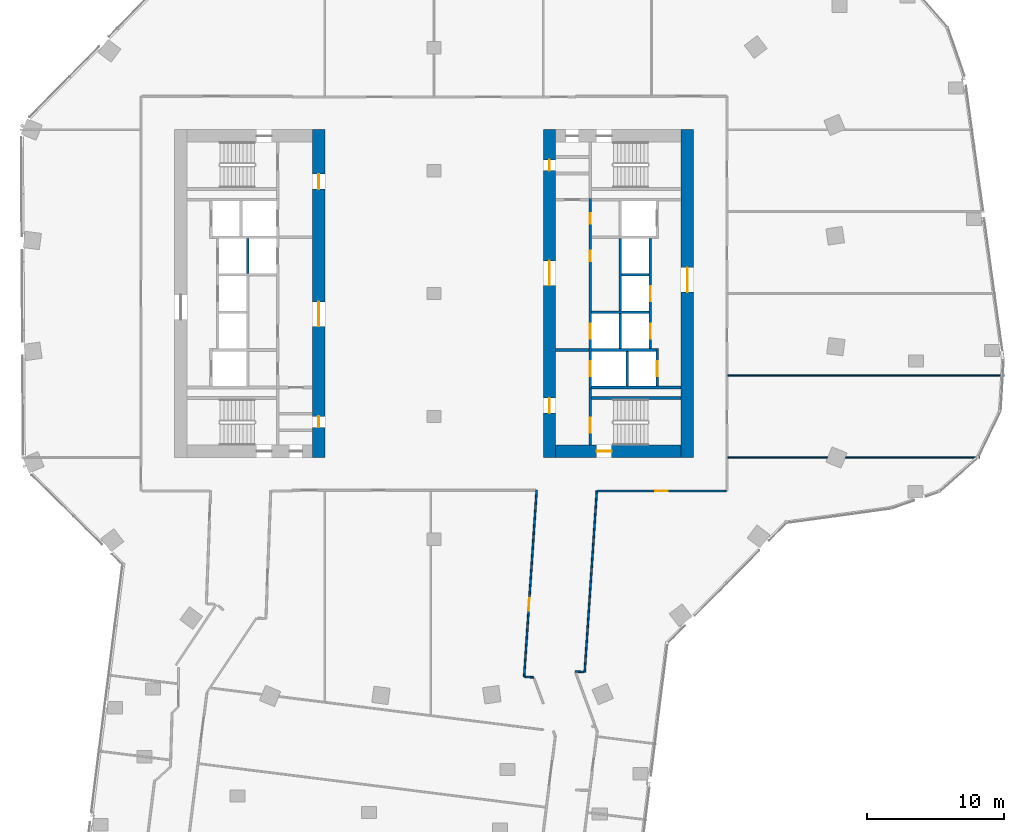
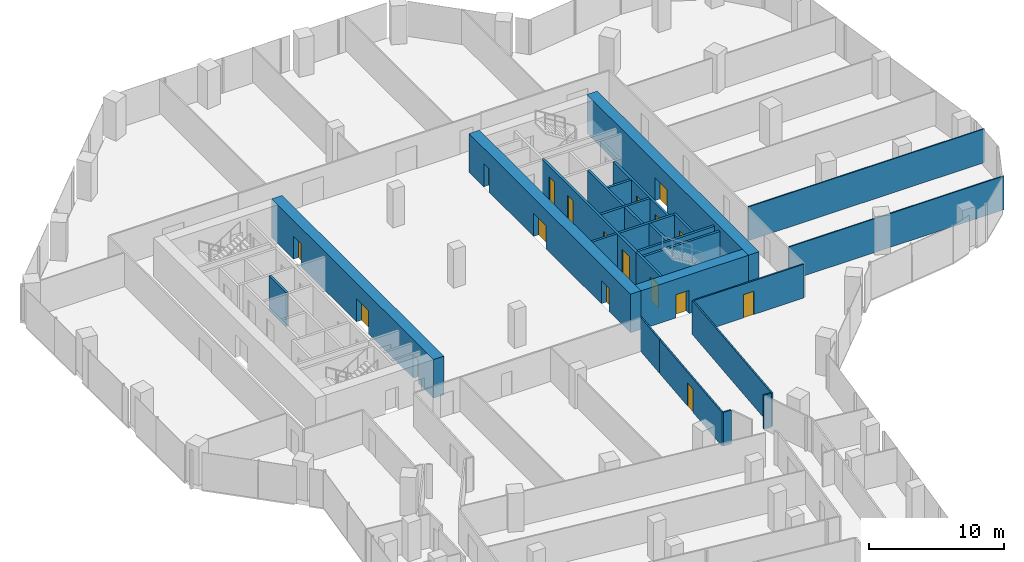
# One storey, part 21 of 27: 26 walls, 18 doors, 18 openings.
"""IFC4 building model written with IfcOpenShell, lengths in metres."""

import ifcopenshell
import ifcopenshell.guid

model = None  # the IFC model being written
_history = None  # IfcOwnerHistory: only IFC2X3 demands one
_inside = {}  # id of a spatial element -> (the spatial element, [elements in it])
_under = {}  # id of a project, library or spatial element -> (it, [spatial elements below it])
_declared = {}  # id of a project -> (the project, [libraries it declares])
_typed = {}  # id of a type object -> (the type object, [elements of that type])
_made_of = {}  # id of a material, layer set ... -> (it, [elements and type objects made of it])


def new_model(schema):
    """Start an empty IFC model of exactly this schema.

    Asked for "IFC4X3", IfcOpenShell would pick the latest addendum, in which some entities
    have other attributes; the version numbers below select the first issue.
    IFC2X3 requires an IfcOwnerHistory on every rooted entity: one is made here for all.
    """
    global model, _history
    if schema == "IFC4X3":
        model = ifcopenshell.file(schema_version=(4, 3, 0, 0))
    else:
        model = ifcopenshell.file(schema=schema)
    _inside.clear()
    _under.clear()
    _declared.clear()
    _typed.clear()
    _made_of.clear()
    _history = None
    if model.schema == "IFC2X3":
        org = make("IfcOrganization", Name="unknown")
        user = make(
            "IfcPersonAndOrganization",
            ThePerson=make("IfcPerson", FamilyName="unknown"),
            TheOrganization=org,
        )
        app = make(
            "IfcApplication",
            ApplicationDeveloper=org,
            Version="unknown",
            ApplicationFullName="unknown",
            ApplicationIdentifier="unknown",
        )
        _history = make(
            "IfcOwnerHistory",
            OwningUser=user,
            OwningApplication=app,
            ChangeAction="ADDED",
            CreationDate=0,
        )
    return model


def make(cls, **values):
    """One entity of the class cls with the attributes given. An attribute that is None is left unset."""
    return model.create_entity(
        cls, **{name: value for name, value in values.items() if value is not None}
    )


def rooted(cls, **values):
    """An entity with a GlobalId (a new one), such as an element, a storey or a relation."""
    return make(cls, GlobalId=ifcopenshell.guid.new(), OwnerHistory=_history, **values)


def si_unit(unit_type, name, prefix=None):
    """IfcSIUnit, for example si_unit("LENGTHUNIT", "METRE", prefix="MILLI")."""
    return make("IfcSIUnit", UnitType=unit_type, Prefix=prefix, Name=name)


def assignment(units):
    """IfcUnitAssignment: the units of a project."""
    return None if units is None else make("IfcUnitAssignment", Units=units)


def point(xyz):
    """IfcCartesianPoint."""
    return None if xyz is None else make("IfcCartesianPoint", Coordinates=xyz)


def direction(xyz):
    """IfcDirection."""
    return None if xyz is None else make("IfcDirection", DirectionRatios=xyz)


def frame(location, z_axis=None, x_axis=None):
    """IfcAxis2Placement3D, a coordinate frame: its origin and axes. An axis left out is left unset."""
    return make(
        "IfcAxis2Placement3D",
        Location=point(location),
        Axis=direction(z_axis),
        RefDirection=direction(x_axis),
    )


def frame_2d(location, x_axis=None):
    """IfcAxis2Placement2D, a coordinate frame in the plane: its origin and x axis."""
    return make(
        "IfcAxis2Placement2D", Location=point(location), RefDirection=direction(x_axis)
    )


def origin():
    """The frame at (0, 0, 0) with its axes left unset."""
    return frame((0.0, 0.0, 0.0))


def place(relative_to, where):
    """IfcLocalPlacement: puts the frame where relative to a parent placement (None: the world)."""
    return make(
        "IfcLocalPlacement", PlacementRelTo=relative_to, RelativePlacement=where
    )


def context(
    kind, dimensions, precision=None, world=None, true_north=None, identifier=None
):
    """IfcGeometricRepresentationContext, for example the 3D "Model" context."""
    return make(
        "IfcGeometricRepresentationContext",
        ContextIdentifier=identifier,
        ContextType=kind,
        CoordinateSpaceDimension=dimensions,
        Precision=precision,
        WorldCoordinateSystem=world,
        TrueNorth=true_north,
    )


def subcontext(parent, identifier, kind, view, scale=None):
    """IfcGeometricRepresentationSubContext, for example "Body" below "Model"."""
    return make(
        "IfcGeometricRepresentationSubContext",
        ContextIdentifier=identifier,
        ContextType=kind,
        ParentContext=parent,
        TargetScale=scale,
        TargetView=view,
    )


def project(units=None, contexts=None):
    """IfcProject with its units and contexts."""
    return rooted(
        "IfcProject",
        Name="project",
        RepresentationContexts=contexts,
        UnitsInContext=assignment(units),
    )


def spatial(cls, under=None, at=None, **own):
    """A site, building, storey or space (cls), placed at a placement, below another one or the project."""
    s = rooted(cls, ObjectPlacement=at, **own)
    if under is not None:
        _under.setdefault(under.id(), (under, []))[1].append(s)
    return s


def profile(cls, at=None, kind="AREA", **sizes):
    """A parametric profile (cls). Its sizes go by their IFC names, for example OverallWidth=200.0."""
    return make(cls, ProfileType=kind, Position=at, **sizes)


def rectangle(**sizes):
    """IfcRectangleProfileDef."""
    return profile("IfcRectangleProfileDef", **sizes)


def extrude(swept, where, along, depth):
    """IfcExtrudedAreaSolid: the profile swept, set in the frame where, extruded along a direction by depth."""
    return make(
        "IfcExtrudedAreaSolid",
        SweptArea=swept,
        Position=where,
        ExtrudedDirection=direction(along),
        Depth=depth,
    )


def shape(context_of_items, identifier, shape_type, items):
    """IfcShapeRepresentation: the items that make up one representation, for example the "Body"."""
    return make(
        "IfcShapeRepresentation",
        ContextOfItems=context_of_items,
        RepresentationIdentifier=identifier,
        RepresentationType=shape_type,
        Items=items,
    )


def material(Name=None, Category=None):
    """IfcMaterial."""
    return make("IfcMaterial", Name=Name, Category=Category)


def layer(
    of_material, thickness, ventilated=None, Name=None, Category=None, Priority=None
):
    """IfcMaterialLayer: one layer of a wall or slab, of a material (None: an air gap)."""
    return make(
        "IfcMaterialLayer",
        Material=of_material,
        LayerThickness=thickness,
        IsVentilated=ventilated,
        Name=Name,
        Category=Category,
        Priority=Priority,
    )


def layer_set(layers, Name=None):
    """IfcMaterialLayerSet."""
    return make("IfcMaterialLayerSet", MaterialLayers=layers, LayerSetName=Name)


def made_of(thing, what):
    """Note that an element or type object is made of a material, layer set ...; save() writes the relation."""
    if what is not None:
        _made_of.setdefault(what.id(), (what, []))[1].append(thing)
    return thing


def type_object(cls, material=None, **own):
    """A type object (cls), such as IfcWallType, which elements share."""
    return made_of(rooted(cls, **own), material)


def element(
    cls,
    number,
    at=None,
    inside=None,
    cuts=None,
    type_object=None,
    material=None,
    context=None,
    identifier="Body",
    shape_type=None,
    held_by="IfcProductDefinitionShape",
    body=None,
    shapes=None,
    **own,
):
    """One element of the class cls, such as IfcWall. Its Tag is "e" and its number.

    at: its placement. inside: the storey or other place that contains it. cuts: it is an
    opening in that element (IfcRelVoidsElement). A single representation is given by context,
    identifier, shape_type and body (its items); several are given by shapes. held_by: the class
    of the entity that holds the representations. save() writes the other relations.
    """
    e = rooted(cls, Tag="e%d" % number, ObjectPlacement=at, **own)
    if body is not None:
        shapes = [shape(context, identifier, shape_type, body)]
    if shapes is not None:
        e.Representation = make(held_by, Representations=shapes)
    if inside is not None:
        _inside.setdefault(inside.id(), (inside, []))[1].append(e)
    if cuts is not None:
        rooted(
            "IfcRelVoidsElement", RelatingBuildingElement=cuts, RelatedOpeningElement=e
        )
    if type_object is not None:
        _typed.setdefault(type_object.id(), (type_object, []))[1].append(e)
    return made_of(e, material)


def fill(opening, filler):
    """IfcRelFillsElement: the door or window that sits in an opening."""
    return rooted(
        "IfcRelFillsElement",
        RelatingOpeningElement=opening,
        RelatedBuildingElement=filler,
    )


def aggregate(whole, parts):
    """IfcRelAggregates: a whole, such as a stair, and the parts it consists of."""
    return rooted("IfcRelAggregates", RelatingObject=whole, RelatedObjects=parts)


def save(model, path):
    """Write the relations noted so far, then the file.

    IfcRelAggregates (storeys below a building ...), IfcRelContainedInSpatialStructure (elements
    in a storey), IfcRelDefinesByType, IfcRelAssociatesMaterial and IfcRelDeclares: one each for
    every whole, place, type object, material and project.
    """
    for whole, parts in _under.values():
        aggregate(whole, parts)
    for where, things in _inside.values():
        rooted(
            "IfcRelContainedInSpatialStructure",
            RelatedElements=things,
            RelatingStructure=where,
        )
    for kind, things in _typed.values():
        rooted("IfcRelDefinesByType", RelatedObjects=things, RelatingType=kind)
    for what, things in _made_of.values():
        rooted("IfcRelAssociatesMaterial", RelatedObjects=things, RelatingMaterial=what)
    for by, libraries in _declared.values():
        rooted("IfcRelDeclares", RelatingContext=by, RelatedDefinitions=libraries)
    model.write(path)


model = new_model("IFC4")

# Units and contexts
model_context = context("Model", 3, precision=1e-05, world=origin(), true_north=direction((0.0, 1.0)))
body_context = subcontext(model_context, "Body", "Model", "MODEL_VIEW")
ifc_project = project(units=[si_unit("LENGTHUNIT", "METRE"), si_unit("AREAUNIT", "SQUARE_METRE"), si_unit("VOLUMEUNIT", "CUBIC_METRE"), si_unit("PLANEANGLEUNIT", "RADIAN"), si_unit("MASSUNIT", "GRAM", prefix="KILO")], contexts=[model_context])

# Site, building, storey
site_placement = place(None, origin())
site = spatial("IfcSite", under=ifc_project, at=site_placement, CompositionType="ELEMENT")
building_placement = place(site_placement, origin())
building = spatial("IfcBuilding", under=site, at=building_placement, Name="Orlundy Tower", CompositionType="ELEMENT")
storey_placement = place(building_placement, frame((0.0, 0.0, 192.10009765625)))
storey = spatial("IfcBuildingStorey", under=building, at=storey_placement, Name="L50", CompositionType="ELEMENT", Elevation=192.10009765625)

# Wall, openings, doors
ifc_material_1 = material(Name="Concrete C70/85", Category="concrete")
ifc_layer_1 = layer(ifc_material_1, 0.89990234375)
ifc_layer_set_1 = layer_set([ifc_layer_1], Name="CORE WALL 900 C70/85")
wall_type_1 = type_object("IfcWallType", Name="CORE WALL 900 C70/85", PredefinedType="SHEAR", material=ifc_layer_set_1)
wall_1_placement = place(storey_placement, frame((-8.449951171875, -12.0, 0.0), z_axis=(0.0, 0.0, 1.0), x_axis=(0.0, 1.0, 0.0)))
wall_1 = element("IfcWall", 1, at=wall_1_placement, inside=storey, type_object=wall_type_1, Name="Core wall W-E L50", PredefinedType="SHEAR", context=body_context, shape_type="SweptSolid", body=[
    extrude(rectangle(XDim=24.0, YDim=0.89990234375, at=frame_2d((12.0, 0.0))), origin(), (0.0, 0.0, 1.0), 3.5),
])
opening_1_placement = place(wall_1_placement, frame((9.60009765625, 0.0, 0.0)))
opening_1 = element("IfcOpeningElement", 2, at=opening_1_placement, cuts=wall_1, Name="Opening 39009", PredefinedType="OPENING", context=body_context, shape_type="SweptSolid", body=[
    extrude(rectangle(XDim=1.800048828125, YDim=2.10009765625, at=frame_2d((0.89990234375, 1.050048828125))), frame((0.0, 0.4599609375, 0.0), z_axis=(0.0, -1.0, 0.0), x_axis=(1.0, 0.0, 0.0)), (0.0, 0.0, 1.0), 0.919921875),
])
opening_2_placement = place(wall_1_placement, frame((19.64990234375, 0.0, 0.0)))
opening_2 = element("IfcOpeningElement", 3, at=opening_2_placement, cuts=wall_1, Name="Opening 39011", PredefinedType="OPENING", context=body_context, shape_type="SweptSolid", body=[
    extrude(rectangle(XDim=1.10009765625, YDim=2.10009765625, at=frame_2d((0.550048828125, 1.050048828125))), frame((0.0, 0.4599609375, 0.0), z_axis=(0.0, -1.0, 0.0), x_axis=(1.0, 0.0, 0.0)), (0.0, 0.0, 1.0), 0.919921875),
])
opening_3_placement = place(wall_1_placement, frame((2.199951171875, 0.0, 0.0)))
opening_3 = element("IfcOpeningElement", 4, at=opening_3_placement, cuts=wall_1, Name="Opening 39016", PredefinedType="OPENING", context=body_context, shape_type="SweptSolid", body=[
    extrude(rectangle(XDim=0.800048828125, YDim=2.10009765625, at=frame_2d((0.39990234375, 1.050048828125))), frame((0.0, 0.4599609375, 0.0), z_axis=(0.0, -1.0, 0.0), x_axis=(1.0, 0.0, 0.0)), (0.0, 0.0, 1.0), 0.919921875),
])
ifc_material_2 = material(Name="Steel door set", Category="steel")
door_type_1 = type_object("IfcDoorType", Name="Fire-fighting Lobby Door 1100x2100", OperationType="SINGLE_SWING_LEFT", PredefinedType="DOOR", material=ifc_material_2)
door_1_placement = place(opening_2_placement, origin())
door_1 = element("IfcDoor", 5, at=door_1_placement, inside=storey, type_object=door_type_1, Name="Fire-fighting lobby door 39011", OperationType="SINGLE_SWING_RIGHT", OverallHeight=2.10009765625, OverallWidth=1.10009765625, PredefinedType="DOOR", context=body_context, shape_type="SweptSolid", body=[
    extrude(rectangle(XDim=1.10009765625, YDim=2.10009765625, at=frame_2d((0.550048828125, 1.050048828125))), frame((0.0, 0.02490234375, 0.0), z_axis=(0.0, -1.0, 0.0), x_axis=(1.0, 0.0, 0.0)), (0.0, 0.0, 1.0), 0.050048828125),
])
fill(opening_2, door_1)
ifc_material_3 = material(Name="Timber door set", Category="wood")
door_type_2 = type_object("IfcDoorType", Name="Lobby Door 1800x2100", OperationType="DOUBLE_DOOR_DOUBLE_SWING", PredefinedType="DOOR", material=ifc_material_3)
door_2_placement = place(opening_1_placement, origin())
door_2 = element("IfcDoor", 6, at=door_2_placement, inside=storey, type_object=door_type_2, Name="Lift lobby door 39009", OperationType="SINGLE_SWING_LEFT", OverallHeight=2.10009765625, OverallWidth=1.800048828125, PredefinedType="DOOR", context=body_context, shape_type="SweptSolid", body=[
    extrude(rectangle(XDim=1.800048828125, YDim=2.10009765625, at=frame_2d((0.89990234375, 1.050048828125))), frame((0.0, 0.02490234375, 0.0), z_axis=(0.0, -1.0, 0.0), x_axis=(1.0, 0.0, 0.0)), (0.0, 0.0, 1.0), 0.050048828125),
])
fill(opening_1, door_2)
ifc_material_4 = material(Name="Timber door set", Category="wood")
door_type_3 = type_object("IfcDoorType", Name="Riser Door 800x2100", OperationType="SINGLE_SWING_LEFT", PredefinedType="DOOR", material=ifc_material_4)
door_3_placement = place(opening_3_placement, origin())
door_3 = element("IfcDoor", 7, at=door_3_placement, inside=storey, type_object=door_type_3, Name="Door 39016", OperationType="SINGLE_SWING_LEFT", OverallHeight=2.10009765625, OverallWidth=0.800048828125, PredefinedType="DOOR", context=body_context, shape_type="SweptSolid", body=[
    extrude(rectangle(XDim=0.800048828125, YDim=2.10009765625, at=frame_2d((0.39990234375, 1.050048828125))), frame((0.0, 0.02490234375, 0.0), z_axis=(0.0, -1.0, 0.0), x_axis=(1.0, 0.0, 0.0)), (0.0, 0.0, 1.0), 0.050048828125),
])
fill(opening_3, door_3)

# Wall, opening, door
wall_2_placement = place(storey_placement, frame((8.89990234375, -11.550048828125, 0.0), z_axis=(0.0, 0.0, 1.0), x_axis=(1.0, 0.0, 0.0)))
wall_2 = element("IfcWall", 8, at=wall_2_placement, inside=storey, type_object=wall_type_1, Name="Core wall E-S L50", PredefinedType="SHEAR", context=body_context, shape_type="SweptSolid", body=[
    extrude(rectangle(XDim=9.2001953125, YDim=0.89990234375, at=frame_2d((4.60009765625, 0.0))), origin(), (0.0, 0.0, 1.0), 3.5),
])
opening_4_placement = place(wall_2_placement, frame((3.0, 0.0, 0.0)))
opening_4 = element("IfcOpeningElement", 9, at=opening_4_placement, cuts=wall_2, Name="Opening 39061", PredefinedType="OPENING", context=body_context, shape_type="SweptSolid", body=[
    extrude(rectangle(XDim=1.10009765625, YDim=2.10009765625, at=frame_2d((0.550048828125, 1.050048828125))), frame((0.0, 0.4599609375, 0.0), z_axis=(0.0, -1.0, 0.0), x_axis=(1.0, 0.0, 0.0)), (0.0, 0.0, 1.0), 0.919921875),
])
ifc_material_5 = material(Name="Steel door set", Category="steel")
door_type_4 = type_object("IfcDoorType", Name="Stair Door 1100x2100", OperationType="SINGLE_SWING_LEFT", PredefinedType="DOOR", material=ifc_material_5)
door_4_placement = place(opening_4_placement, origin())
door_4 = element("IfcDoor", 10, at=door_4_placement, inside=storey, type_object=door_type_4, Name="Stair door 39061", OperationType="SINGLE_SWING_LEFT", OverallHeight=2.10009765625, OverallWidth=1.10009765625, PredefinedType="DOOR", context=body_context, shape_type="SweptSolid", body=[
    extrude(rectangle(XDim=1.10009765625, YDim=2.10009765625, at=frame_2d((0.550048828125, 1.050048828125))), frame((0.0, 0.02490234375, 0.0), z_axis=(0.0, -1.0, 0.0), x_axis=(1.0, 0.0, 0.0)), (0.0, 0.0, 1.0), 0.050048828125),
])
fill(opening_4, door_4)

# Wall, openings, doors
wall_3_placement = place(storey_placement, frame((8.449951171875, -12.0, 0.0), z_axis=(0.0, 0.0, 1.0), x_axis=(0.0, 1.0, 0.0)))
wall_3 = element("IfcWall", 11, at=wall_3_placement, inside=storey, type_object=wall_type_1, Name="Core wall E-W L50", PredefinedType="SHEAR", context=body_context, shape_type="SweptSolid", body=[
    extrude(rectangle(XDim=24.0, YDim=0.89990234375, at=frame_2d((12.0, 0.0))), origin(), (0.0, 0.0, 1.0), 3.5),
])
opening_5_placement = place(wall_3_placement, frame((12.60009765625, 0.0, 0.0)))
opening_5 = element("IfcOpeningElement", 12, at=opening_5_placement, cuts=wall_3, Name="Opening 39058", PredefinedType="OPENING", context=body_context, shape_type="SweptSolid", body=[
    extrude(rectangle(XDim=1.800048828125, YDim=2.10009765625, at=frame_2d((0.89990234375, 1.050048828125))), frame((0.0, 0.4599609375, 0.0), z_axis=(0.0, -1.0, 0.0), x_axis=(1.0, 0.0, 0.0)), (0.0, 0.0, 1.0), 0.919921875),
])
opening_6_placement = place(wall_3_placement, frame((3.25, 0.0, 0.0)))
opening_6 = element("IfcOpeningElement", 13, at=opening_6_placement, cuts=wall_3, Name="Opening 39060", PredefinedType="OPENING", context=body_context, shape_type="SweptSolid", body=[
    extrude(rectangle(XDim=1.10009765625, YDim=2.10009765625, at=frame_2d((0.550048828125, 1.050048828125))), frame((0.0, 0.4599609375, 0.0), z_axis=(0.0, -1.0, 0.0), x_axis=(1.0, 0.0, 0.0)), (0.0, 0.0, 1.0), 0.919921875),
])
opening_7_placement = place(wall_3_placement, frame((21.0, 0.0, 0.0)))
opening_7 = element("IfcOpeningElement", 14, at=opening_7_placement, cuts=wall_3, Name="Opening 39065", PredefinedType="OPENING", context=body_context, shape_type="SweptSolid", body=[
    extrude(rectangle(XDim=0.800048828125, YDim=2.10009765625, at=frame_2d((0.39990234375, 1.050048828125))), frame((0.0, 0.4599609375, 0.0), z_axis=(0.0, -1.0, 0.0), x_axis=(1.0, 0.0, 0.0)), (0.0, 0.0, 1.0), 0.919921875),
])
door_5_placement = place(opening_6_placement, origin())
door_5 = element("IfcDoor", 15, at=door_5_placement, inside=storey, type_object=door_type_1, Name="Fire-fighting lobby door 39060", OperationType="SINGLE_SWING_LEFT", OverallHeight=2.10009765625, OverallWidth=1.10009765625, PredefinedType="DOOR", context=body_context, shape_type="SweptSolid", body=[
    extrude(rectangle(XDim=1.10009765625, YDim=2.10009765625, at=frame_2d((0.550048828125, 1.050048828125))), frame((0.0, 0.02490234375, 0.0), z_axis=(0.0, -1.0, 0.0), x_axis=(1.0, 0.0, 0.0)), (0.0, 0.0, 1.0), 0.050048828125),
])
fill(opening_6, door_5)
door_6_placement = place(opening_5_placement, origin())
door_6 = element("IfcDoor", 16, at=door_6_placement, inside=storey, type_object=door_type_2, Name="Lift lobby door 39058", OperationType="SINGLE_SWING_RIGHT", OverallHeight=2.10009765625, OverallWidth=1.800048828125, PredefinedType="DOOR", context=body_context, shape_type="SweptSolid", body=[
    extrude(rectangle(XDim=1.800048828125, YDim=2.10009765625, at=frame_2d((0.89990234375, 1.050048828125))), frame((0.0, 0.02490234375, 0.0), z_axis=(0.0, -1.0, 0.0), x_axis=(1.0, 0.0, 0.0)), (0.0, 0.0, 1.0), 0.050048828125),
])
fill(opening_5, door_6)
door_7_placement = place(opening_7_placement, origin())
door_7 = element("IfcDoor", 17, at=door_7_placement, inside=storey, type_object=door_type_3, Name="Door 39065", OperationType="SINGLE_SWING_RIGHT", OverallHeight=2.10009765625, OverallWidth=0.800048828125, PredefinedType="DOOR", context=body_context, shape_type="SweptSolid", body=[
    extrude(rectangle(XDim=0.800048828125, YDim=2.10009765625, at=frame_2d((0.39990234375, 1.050048828125))), frame((0.0, 0.02490234375, 0.0), z_axis=(0.0, -1.0, 0.0), x_axis=(1.0, 0.0, 0.0)), (0.0, 0.0, 1.0), 0.050048828125),
])
fill(opening_7, door_7)

# Wall, opening, door
wall_4_placement = place(storey_placement, frame((18.550048828125, -12.0, 0.0), z_axis=(0.0, 0.0, 1.0), x_axis=(0.0, 1.0, 0.0)))
wall_4 = element("IfcWall", 18, at=wall_4_placement, inside=storey, type_object=wall_type_1, Name="Core wall E-E L50", PredefinedType="SHEAR", context=body_context, shape_type="SweptSolid", body=[
    extrude(rectangle(XDim=24.0, YDim=0.89990234375, at=frame_2d((12.0, 0.0))), origin(), (0.0, 0.0, 1.0), 3.5),
])
opening_8_placement = place(wall_4_placement, frame((12.10009765625, 0.0, 0.0)))
opening_8 = element("IfcOpeningElement", 19, at=opening_8_placement, cuts=wall_4, Name="Opening 39059", PredefinedType="OPENING", context=body_context, shape_type="SweptSolid", body=[
    extrude(rectangle(XDim=1.800048828125, YDim=2.10009765625, at=frame_2d((0.89990234375, 1.050048828125))), frame((0.0, 0.4599609375, 0.0), z_axis=(0.0, -1.0, 0.0), x_axis=(1.0, 0.0, 0.0)), (0.0, 0.0, 1.0), 0.919921875),
])
door_8_placement = place(opening_8_placement, origin())
door_8 = element("IfcDoor", 20, at=door_8_placement, inside=storey, type_object=door_type_2, Name="Lift lobby door 39059", OperationType="SINGLE_SWING_RIGHT", OverallHeight=2.10009765625, OverallWidth=1.800048828125, PredefinedType="DOOR", context=body_context, shape_type="SweptSolid", body=[
    extrude(rectangle(XDim=1.800048828125, YDim=2.10009765625, at=frame_2d((0.89990234375, 1.050048828125))), frame((0.0, 0.02490234375, 0.0), z_axis=(0.0, -1.0, 0.0), x_axis=(1.0, 0.0, 0.0)), (0.0, 0.0, 1.0), 0.050048828125),
])
fill(opening_8, door_8)

# Walls
ifc_material_6 = material(Name="Gypsum board partition")
ifc_layer_2 = layer(ifc_material_6, 0.10009765625)
ifc_layer_set_2 = layer_set([ifc_layer_2], Name="Floor partition 100")
wall_type_2 = type_object("IfcWallType", Name="Floor partition 100", PredefinedType="PARTITIONING", material=ifc_layer_set_2)
wall_5_placement = place(storey_placement, frame((21.511962890625, -12.0, 0.0), z_axis=(0.0, 0.0, 1.0), x_axis=(1.0, 0.0, 0.0)))
element("IfcWall", 21, at=wall_5_placement, inside=storey, type_object=wall_type_2, Name="wall-int-L50-034", PredefinedType="PARTITIONING", context=body_context, shape_type="SweptSolid", body=[
    extrude(rectangle(XDim=18.43701171875, YDim=0.10009765625, at=frame_2d((9.218505859375, 0.0))), origin(), (0.0, 0.0, 1.0), 3.059814453125),
])
wall_6_placement = place(storey_placement, frame((21.511962890625, -6.0, 0.0), z_axis=(0.0, 0.0, 1.0), x_axis=(1.0, 0.0, 0.0)))
element("IfcWall", 22, at=wall_6_placement, inside=storey, type_object=wall_type_2, Name="wall-int-L50-035", PredefinedType="PARTITIONING", context=body_context, shape_type="SweptSolid", body=[
    extrude(rectangle(XDim=20.22509765625, YDim=0.10009765625, at=frame_2d((10.112548828125, 0.0))), origin(), (0.0, 0.0, 1.0), 3.059814453125),
])
ifc_material_7 = material(Name="Gypsum board partition, double layer")
ifc_layer_3 = layer(ifc_material_7, 0.125)
ifc_layer_set_3 = layer_set([ifc_layer_3], Name="Floor partition 125")
wall_type_3 = type_object("IfcWallType", Name="Floor partition 125", PredefinedType="PARTITIONING", material=ifc_layer_set_3)
wall_7_placement = place(storey_placement, frame((10.33203125, -27.6708984375, 0.0), z_axis=(0.0, 0.0, 1.0), x_axis=(0.997692558801, -0.067893726608, 0.0)))
element("IfcWall", 23, at=wall_7_placement, inside=storey, type_object=wall_type_3, Name="wall-int-L50-021", PredefinedType="PARTITIONING", context=body_context, shape_type="SweptSolid", body=[
    extrude(rectangle(XDim=0.636474609375, YDim=0.125, at=frame_2d((0.318359375, 0.0))), origin(), (0.0, 0.0, 1.0), 3.059814453125),
])
wall_8_placement = place(storey_placement, frame((6.657958984375, -28.06396484375, 0.0), z_axis=(0.0, 0.0, 1.0), x_axis=(0.997732391846, -0.067305826357, 0.0)))
element("IfcWall", 24, at=wall_8_placement, inside=storey, type_object=wall_type_3, Name="wall-int-L50-022", PredefinedType="PARTITIONING", context=body_context, shape_type="SweptSolid", body=[
    extrude(rectangle(XDim=0.638427734375, YDim=0.125, at=frame_2d((0.3193359375, 0.0))), origin(), (0.0, 0.0, 1.0), 3.059814453125),
])

# Wall, opening, door
wall_9_placement = place(storey_placement, frame((21.386962890625, -14.450927734375, 0.0), z_axis=(0.0, 0.0, 1.0), x_axis=(-1.0, 0.0, 0.0)))
wall_9 = element("IfcWall", 25, at=wall_9_placement, inside=storey, type_object=wall_type_3, Name="wall-int-L50-031", PredefinedType="PARTITIONING", context=body_context, shape_type="SweptSolid", body=[
    extrude(rectangle(XDim=9.404052734375, YDim=0.125, at=frame_2d((4.7021484375, 0.0))), origin(), (0.0, 0.0, 1.0), 3.059814453125),
])
opening_9_placement = place(wall_9_placement, frame((4.28759765625, 0.0, 0.0)))
opening_9 = element("IfcOpeningElement", 26, at=opening_9_placement, cuts=wall_9, Name="Opening 39117", PredefinedType="OPENING", context=body_context, shape_type="SweptSolid", body=[
    extrude(rectangle(XDim=0.89990234375, YDim=2.10009765625, at=frame_2d((0.449951171875, 1.050048828125))), frame((0.0, 0.072509765625, 0.0), z_axis=(0.0, -1.0, 0.0), x_axis=(1.0, 0.0, 0.0)), (0.0, 0.0, 1.0), 0.14501953125),
])
ifc_material_8 = material(Name="Timber door leaf", Category="wood")
door_type_5 = type_object("IfcDoorType", Name="Floor door single 900 FD30S", OperationType="NOTDEFINED", PredefinedType="DOOR", material=ifc_material_8)
door_9_placement = place(opening_9_placement, origin())
door_9 = element("IfcDoor", 27, at=door_9_placement, inside=storey, type_object=door_type_5, Name="Door 39117", OperationType="SINGLE_SWING_RIGHT", OverallHeight=2.10009765625, OverallWidth=0.89990234375, PredefinedType="DOOR", context=body_context, shape_type="SweptSolid", body=[
    extrude(rectangle(XDim=0.89990234375, YDim=2.10009765625, at=frame_2d((0.449951171875, 1.050048828125))), frame((0.0, 0.02490234375, 0.0), z_axis=(0.0, -1.0, 0.0), x_axis=(1.0, 0.0, 0.0)), (0.0, 0.0, 1.0), 0.050048828125),
])
fill(opening_9, door_9)

# Walls
wall_10_placement = place(storey_placement, frame((11.030029296875, -27.717041015625, 0.0), z_axis=(0.0, 0.0, 1.0), x_axis=(0.067002832517, 0.99775278523, 0.0)))
element("IfcWall", 28, at=wall_10_placement, inside=storey, type_object=wall_type_3, Name="wall-int-L50-062", PredefinedType="PARTITIONING", context=body_context, shape_type="SweptSolid", body=[
    extrude(rectangle(XDim=13.2958984375, YDim=0.125, at=frame_2d((6.64794921875, 0.0))), origin(), (0.0, 0.0, 1.0), 3.059814453125),
])
wall_11_placement = place(storey_placement, frame((7.294921875, -17.64208984375, 0.0), z_axis=(0.0, 0.0, 1.0), x_axis=(0.067112582875, 0.99774540902, 0.0)))
element("IfcWall", 29, at=wall_11_placement, inside=storey, type_object=wall_type_3, Name="wall-int-L50-063", PredefinedType="PARTITIONING", context=body_context, shape_type="SweptSolid", body=[
    extrude(rectangle(XDim=3.24853515625, YDim=0.125, at=frame_2d((1.624267578125, 0.0))), origin(), (0.0, 0.0, 1.0), 3.059814453125),
])

# Wall, opening, door
wall_12_placement = place(storey_placement, frame((6.595947265625, -28.05908203125, 0.0), z_axis=(0.0, 0.0, 1.0), x_axis=(0.066948921555, 0.99775640409, 0.0)))
wall_12 = element("IfcWall", 30, at=wall_12_placement, inside=storey, type_object=wall_type_3, Name="wall-int-L50-064", PredefinedType="PARTITIONING", context=body_context, shape_type="SweptSolid", body=[
    extrude(rectangle(XDim=10.4404296875, YDim=0.125, at=frame_2d((5.22021484375, 0.0))), origin(), (0.0, 0.0, 1.0), 3.059814453125),
])
opening_10_placement = place(wall_12_placement, frame((4.85009765625, 0.0, 0.0)))
opening_10 = element("IfcOpeningElement", 31, at=opening_10_placement, cuts=wall_12, Name="Opening 39116", PredefinedType="OPENING", context=body_context, shape_type="SweptSolid", body=[
    extrude(rectangle(XDim=0.89990234375, YDim=2.10009765625, at=frame_2d((0.449951171875, 1.050048828125))), frame((0.0, 0.072509765625, 0.0), z_axis=(0.0, -1.0, 0.0), x_axis=(1.0, 0.0, 0.0)), (0.0, 0.0, 1.0), 0.14501953125),
])
door_10_placement = place(opening_10_placement, origin())
door_10 = element("IfcDoor", 32, at=door_10_placement, inside=storey, type_object=door_type_5, Name="Door 39116", OperationType="SINGLE_SWING_RIGHT", OverallHeight=2.10009765625, OverallWidth=0.89990234375, PredefinedType="DOOR", context=body_context, shape_type="SweptSolid", body=[
    extrude(rectangle(XDim=0.89990234375, YDim=2.10009765625, at=frame_2d((0.449951171875, 1.050048828125))), frame((0.0, 0.02490234375, 0.0), z_axis=(0.0, -1.0, 0.0), x_axis=(1.0, 0.0, 0.0)), (0.0, 0.0, 1.0), 0.050048828125),
])
fill(opening_10, door_10)

ifc_material_9 = material(Name="Concrete C40/50", Category="concrete")
ifc_layer_4 = layer(ifc_material_9, 0.199951171875)
ifc_layer_set_4 = layer_set([ifc_layer_4], Name="Load-bearing Shaft Wall 200")
wall_type_4 = type_object("IfcWallType", Name="Load-bearing Shaft Wall 200", PredefinedType="SOLIDWALL", material=ifc_layer_set_4)
wall_13_placement = place(storey_placement, frame((11.43994140625, -6.97509765625, 0.0), z_axis=(0.0, 0.0, 1.0), x_axis=(0.0, -1.0, 0.0)))
wall_13 = element("IfcWall", 33, at=wall_13_placement, inside=storey, type_object=wall_type_4, Name="Shaft wall E39-stair-end-n", PredefinedType="SOLIDWALL", context=body_context, shape_type="SweptSolid", body=[
    extrude(rectangle(XDim=4.125, YDim=0.199951171875, at=frame_2d((2.0625, 0.0))), origin(), (0.0, 0.0, 1.0), 3.079833984375),
])
opening_11_placement = place(wall_13_placement, frame((2.10009765625, 0.0, 0.0)))
opening_11 = element("IfcOpeningElement", 34, at=opening_11_placement, cuts=wall_13, Name="Opening 39063", PredefinedType="OPENING", context=body_context, shape_type="SweptSolid", body=[
    extrude(rectangle(XDim=1.10009765625, YDim=2.10009765625, at=frame_2d((0.550048828125, 1.050048828125))), frame((0.0, 0.110107421875, 0.0), z_axis=(0.0, -1.0, 0.0), x_axis=(1.0, 0.0, 0.0)), (0.0, 0.0, 1.0), 0.22021484375),
])
door_11_placement = place(opening_11_placement, origin())
door_11 = element("IfcDoor", 35, at=door_11_placement, inside=storey, type_object=door_type_1, Name="Fire-fighting lobby to stair door 39063", OperationType="SINGLE_SWING_RIGHT", OverallHeight=2.10009765625, OverallWidth=1.10009765625, PredefinedType="DOOR", context=body_context, shape_type="SweptSolid", body=[
    extrude(rectangle(XDim=1.10009765625, YDim=2.10009765625, at=frame_2d((0.550048828125, 1.050048828125))), frame((0.0, 0.02490234375, 0.0), z_axis=(0.0, -1.0, 0.0), x_axis=(1.0, 0.0, 0.0)), (0.0, 0.0, 1.0), 0.050048828125),
])
fill(opening_11, door_11)

# Walls
wall_14_placement = place(storey_placement, frame((11.5400390625, -7.64990234375, 0.0), z_axis=(0.0, 0.0, 1.0), x_axis=(1.0, 0.0, 0.0)))
element("IfcWall", 36, at=wall_14_placement, inside=storey, type_object=wall_type_4, Name="Shaft wall E39-stair-side-n", PredefinedType="SOLIDWALL", context=body_context, shape_type="SweptSolid", body=[
    extrude(rectangle(XDim=6.56005859375, YDim=0.199951171875, at=frame_2d((3.280029296875, 0.0))), origin(), (0.0, 0.0, 1.0), 3.079833984375),
])
ifc_material_10 = material(Name="Gypsum board partition on steel studs", Category="steel")
ifc_layer_5 = layer(ifc_material_10, 0.199951171875)
ifc_layer_set_5 = layer_set([ifc_layer_5], Name="Partition 200")
wall_type_5 = type_object("IfcWallType", Name="Partition 200", PredefinedType="PARTITIONING", material=ifc_layer_set_5)
wall_15_placement = place(storey_placement, frame((8.89990234375, -4.125, 0.0), z_axis=(0.0, 0.0, 1.0), x_axis=(1.0, 0.0, 0.0)))
element("IfcWall", 37, at=wall_15_placement, inside=storey, type_object=wall_type_5, Name="Partition wall E39-lobby-n", PredefinedType="PARTITIONING", context=body_context, shape_type="SweptSolid", body=[
    extrude(rectangle(XDim=2.440185546875, YDim=0.199951171875, at=frame_2d((1.22021484375, 0.0))), origin(), (0.0, 0.0, 1.0), 3.079833984375),
])
ifc_material_11 = material(Name="Fire-rated blockwork shaft wall", Category="masonry")
ifc_layer_6 = layer(ifc_material_11, 0.199951171875)
ifc_layer_set_6 = layer_set([ifc_layer_6], Name="Shaft Wall 200")
wall_type_6 = type_object("IfcWallType", Name="Shaft Wall 200", PredefinedType="SOLIDWALL", material=ifc_layer_set_6)
wall_16_placement = place(storey_placement, frame((-13.639892578125, 1.47509765625, 0.0), z_axis=(0.0, 0.0, 1.0), x_axis=(0.0, 1.0, 0.0)))
element("IfcWall", 38, at=wall_16_placement, inside=storey, type_object=wall_type_6, Name="Shaft wall W39-mid-a.2", PredefinedType="SOLIDWALL", context=body_context, shape_type="SweptSolid", body=[
    extrude(rectangle(XDim=2.5498046875, YDim=0.199951171875, at=frame_2d((1.27490234375, 0.0))), origin(), (0.0, 0.0, 1.0), 3.079833984375),
])
wall_17_placement = place(storey_placement, frame((11.5400390625, -6.875, 0.0), z_axis=(0.0, 0.0, 1.0), x_axis=(1.0, 0.0, 0.0)))
element("IfcWall", 39, at=wall_17_placement, inside=storey, type_object=wall_type_6, Name="Shaft wall E39-zone-n", PredefinedType="SOLIDWALL", context=body_context, shape_type="SweptSolid", body=[
    extrude(rectangle(XDim=6.56005859375, YDim=0.199951171875, at=frame_2d((3.280029296875, 0.0))), origin(), (0.0, 0.0, 1.0), 3.079833984375),
])
wall_18_placement = place(storey_placement, frame((13.739990234375, 1.375, 0.0), z_axis=(0.0, 0.0, 1.0), x_axis=(1.0, 0.0, 0.0)))
element("IfcWall", 40, at=wall_18_placement, inside=storey, type_object=wall_type_6, Name="Shaft wall E39-cross-1.375", PredefinedType="SOLIDWALL", context=body_context, shape_type="SweptSolid", body=[
    extrude(rectangle(XDim=2.0, YDim=0.199951171875, at=frame_2d((1.0, 0.0))), origin(), (0.0, 0.0, 1.0), 3.079833984375),
])
wall_19_placement = place(storey_placement, frame((11.5400390625, -1.375, 0.0), z_axis=(0.0, 0.0, 1.0), x_axis=(1.0, 0.0, 0.0)))
element("IfcWall", 41, at=wall_19_placement, inside=storey, type_object=wall_type_6, Name="Shaft wall E39-cross+1.375", PredefinedType="SOLIDWALL", context=body_context, shape_type="SweptSolid", body=[
    extrude(rectangle(XDim=4.199951171875, YDim=0.199951171875, at=frame_2d((2.10009765625, 0.0))), origin(), (0.0, 0.0, 1.0), 3.079833984375),
])
wall_20_placement = place(storey_placement, frame((11.5400390625, -4.125, 0.0), z_axis=(0.0, 0.0, 1.0), x_axis=(1.0, 0.0, 0.0)))
element("IfcWall", 42, at=wall_20_placement, inside=storey, type_object=wall_type_6, Name="Shaft wall E39-cross+4.125", PredefinedType="SOLIDWALL", context=body_context, shape_type="SweptSolid", body=[
    extrude(rectangle(XDim=4.699951171875, YDim=0.199951171875, at=frame_2d((2.35009765625, 0.0))), origin(), (0.0, 0.0, 1.0), 3.079833984375),
])

# Wall, openings, doors
wall_21_placement = place(storey_placement, frame((11.43994140625, 6.97509765625, 0.0), z_axis=(0.0, 0.0, 1.0), x_axis=(0.0, -1.0, 0.0)))
wall_21 = element("IfcWall", 43, at=wall_21_placement, inside=storey, type_object=wall_type_6, Name="Shaft wall E39-front-h", PredefinedType="SOLIDWALL", context=body_context, shape_type="SweptSolid", body=[
    extrude(rectangle(XDim=13.9501953125, YDim=0.199951171875, at=frame_2d((6.97509765625, 0.0))), origin(), (0.0, 0.0, 1.0), 3.079833984375),
])
opening_12_placement = place(wall_21_placement, frame((9.175048828125, 0.0, 0.0)))
opening_12 = element("IfcOpeningElement", 44, at=opening_12_placement, cuts=wall_21, Name="Opening 39052", PredefinedType="OPENING", context=body_context, shape_type="SweptSolid", body=[
    extrude(rectangle(XDim=1.10009765625, YDim=2.10009765625, at=frame_2d((0.550048828125, 1.050048828125))), frame((0.0, 0.110107421875, 0.0), z_axis=(0.0, -1.0, 0.0), x_axis=(1.0, 0.0, 0.0)), (0.0, 0.0, 1.0), 0.22021484375),
])
opening_13_placement = place(wall_21_placement, frame((11.925048828125, 0.0, 0.0)))
opening_13 = element("IfcOpeningElement", 45, at=opening_13_placement, cuts=wall_21, Name="Opening 39054", PredefinedType="OPENING", context=body_context, shape_type="SweptSolid", body=[
    extrude(rectangle(XDim=1.10009765625, YDim=2.10009765625, at=frame_2d((0.550048828125, 1.050048828125))), frame((0.0, 0.110107421875, 0.0), z_axis=(0.0, -1.0, 0.0), x_axis=(1.0, 0.0, 0.0)), (0.0, 0.0, 1.0), 0.22021484375),
])
opening_14_placement = place(wall_21_placement, frame((1.074951171875, 0.0, 0.0)))
opening_14 = element("IfcOpeningElement", 46, at=opening_14_placement, cuts=wall_21, Name="Opening 39056", PredefinedType="OPENING", context=body_context, shape_type="SweptSolid", body=[
    extrude(rectangle(XDim=0.800048828125, YDim=2.10009765625, at=frame_2d((0.39990234375, 1.050048828125))), frame((0.0, 0.110107421875, 0.0), z_axis=(0.0, -1.0, 0.0), x_axis=(1.0, 0.0, 0.0)), (0.0, 0.0, 1.0), 0.22021484375),
])
opening_15_placement = place(wall_21_placement, frame((3.824951171875, 0.0, 0.0)))
opening_15 = element("IfcOpeningElement", 47, at=opening_15_placement, cuts=wall_21, Name="Opening 39057", PredefinedType="OPENING", context=body_context, shape_type="SweptSolid", body=[
    extrude(rectangle(XDim=0.800048828125, YDim=2.10009765625, at=frame_2d((0.39990234375, 1.050048828125))), frame((0.0, 0.110107421875, 0.0), z_axis=(0.0, -1.0, 0.0), x_axis=(1.0, 0.0, 0.0)), (0.0, 0.0, 1.0), 0.22021484375),
])
ifc_material_12 = material(Name="Steel door set", Category="steel")
door_type_6 = type_object("IfcDoorType", Name="Landing Door 1100x2100", OperationType="DOUBLE_DOOR_SLIDING", PredefinedType="DOOR", material=ifc_material_12)
door_12_placement = place(opening_12_placement, origin())
door_12 = element("IfcDoor", 48, at=door_12_placement, inside=storey, type_object=door_type_6, Name="Lift landing door LP-16 39052", OperationType="DOUBLE_DOOR_SLIDING", OverallHeight=2.10009765625, OverallWidth=1.10009765625, PredefinedType="DOOR", context=body_context, shape_type="SweptSolid", body=[
    extrude(rectangle(XDim=1.10009765625, YDim=2.10009765625, at=frame_2d((0.550048828125, 1.050048828125))), frame((0.0, 0.02490234375, 0.0), z_axis=(0.0, -1.0, 0.0), x_axis=(1.0, 0.0, 0.0)), (0.0, 0.0, 1.0), 0.050048828125),
])
fill(opening_12, door_12)
door_13_placement = place(opening_13_placement, origin())
door_13 = element("IfcDoor", 49, at=door_13_placement, inside=storey, type_object=door_type_6, Name="Lift landing door FL2 39054", OperationType="DOUBLE_DOOR_SLIDING", OverallHeight=2.10009765625, OverallWidth=1.10009765625, PredefinedType="DOOR", context=body_context, shape_type="SweptSolid", body=[
    extrude(rectangle(XDim=1.10009765625, YDim=2.10009765625, at=frame_2d((0.550048828125, 1.050048828125))), frame((0.0, 0.02490234375, 0.0), z_axis=(0.0, -1.0, 0.0), x_axis=(1.0, 0.0, 0.0)), (0.0, 0.0, 1.0), 0.050048828125),
])
fill(opening_13, door_13)
door_14_placement = place(opening_14_placement, origin())
door_14 = element("IfcDoor", 50, at=door_14_placement, inside=storey, type_object=door_type_3, Name="Electrical Riser Room door 39056", OperationType="SINGLE_SWING_LEFT", OverallHeight=2.10009765625, OverallWidth=0.800048828125, PredefinedType="DOOR", context=body_context, shape_type="SweptSolid", body=[
    extrude(rectangle(XDim=0.800048828125, YDim=2.10009765625, at=frame_2d((0.39990234375, 1.050048828125))), frame((0.0, 0.02490234375, 0.0), z_axis=(0.0, -1.0, 0.0), x_axis=(1.0, 0.0, 0.0)), (0.0, 0.0, 1.0), 0.050048828125),
])
fill(opening_14, door_14)
door_15_placement = place(opening_15_placement, origin())
door_15 = element("IfcDoor", 51, at=door_15_placement, inside=storey, type_object=door_type_3, Name="Plumbing Riser door 39057", OperationType="SINGLE_SWING_LEFT", OverallHeight=2.10009765625, OverallWidth=0.800048828125, PredefinedType="DOOR", context=body_context, shape_type="SweptSolid", body=[
    extrude(rectangle(XDim=0.800048828125, YDim=2.10009765625, at=frame_2d((0.39990234375, 1.050048828125))), frame((0.0, 0.02490234375, 0.0), z_axis=(0.0, -1.0, 0.0), x_axis=(1.0, 0.0, 0.0)), (0.0, 0.0, 1.0), 0.050048828125),
])
fill(opening_15, door_15)

# Walls
wall_22_placement = place(storey_placement, frame((13.639892578125, 4.02490234375, 0.0), z_axis=(0.0, 0.0, 1.0), x_axis=(0.0, -1.0, 0.0)))
element("IfcWall", 52, at=wall_22_placement, inside=storey, type_object=wall_type_6, Name="Shaft wall E39-mid-a.1", PredefinedType="SOLIDWALL", context=body_context, shape_type="SweptSolid", body=[
    extrude(rectangle(XDim=5.2998046875, YDim=0.199951171875, at=frame_2d((2.64990234375, 0.0))), origin(), (0.0, 0.0, 1.0), 3.079833984375),
])
for number, where, z_axis, x_axis, name in (
    (53, (13.639892578125, -1.47509765625, 0.0), (0.0, 0.0, 1.0), (0.0, -1.0, 0.0), "Shaft wall E39-mid-a.2"),
    (54, (14.139892578125, -4.22509765625, 0.0), (0.0, 0.0, 1.0), (0.0, -1.0, 0.0), "Shaft wall E39-mid-b"),
):
    element("IfcWall", number, at=place(storey_placement, frame(where, z_axis=z_axis, x_axis=x_axis)), inside=storey, type_object=wall_type_6, Name=name, PredefinedType="SOLIDWALL", context=body_context, shape_type="SweptSolid", body=[
        extrude(rectangle(XDim=2.5498046875, YDim=0.199951171875, at=frame_2d((1.27490234375, 0.0))), origin(), (0.0, 0.0, 1.0), 3.079833984375),
    ])

# Wall, openings, doors
wall_23_placement = place(storey_placement, frame((15.840087890625, 4.02490234375, 0.0), z_axis=(0.0, 0.0, 1.0), x_axis=(0.0, -1.0, 0.0)))
wall_23 = element("IfcWall", 55, at=wall_23_placement, inside=storey, type_object=wall_type_6, Name="Shaft wall E39-front-o-b", PredefinedType="SOLIDWALL", context=body_context, shape_type="SweptSolid", body=[
    extrude(rectangle(XDim=8.0498046875, YDim=0.199951171875, at=frame_2d((4.02490234375, 0.0))), origin(), (0.0, 0.0, 1.0), 3.079833984375),
])
opening_16_placement = place(wall_23_placement, frame((3.47509765625, 0.0, 0.0)))
opening_16 = element("IfcOpeningElement", 56, at=opening_16_placement, cuts=wall_23, Name="Opening 39051", PredefinedType="OPENING", context=body_context, shape_type="SweptSolid", body=[
    extrude(rectangle(XDim=1.10009765625, YDim=2.10009765625, at=frame_2d((0.550048828125, 1.050048828125))), frame((0.0, 0.110107421875, 0.0), z_axis=(0.0, -1.0, 0.0), x_axis=(1.0, 0.0, 0.0)), (0.0, 0.0, 1.0), 0.22021484375),
])
opening_17_placement = place(wall_23_placement, frame((6.22509765625, 0.0, 0.0)))
opening_17 = element("IfcOpeningElement", 57, at=opening_17_placement, cuts=wall_23, Name="Opening 39053", PredefinedType="OPENING", context=body_context, shape_type="SweptSolid", body=[
    extrude(rectangle(XDim=1.10009765625, YDim=2.10009765625, at=frame_2d((0.550048828125, 1.050048828125))), frame((0.0, 0.110107421875, 0.0), z_axis=(0.0, -1.0, 0.0), x_axis=(1.0, 0.0, 0.0)), (0.0, 0.0, 1.0), 0.22021484375),
])
door_16_placement = place(opening_16_placement, origin())
door_16 = element("IfcDoor", 58, at=door_16_placement, inside=storey, type_object=door_type_6, Name="Lift landing door LP-15 39051", OperationType="DOUBLE_DOOR_SLIDING", OverallHeight=2.10009765625, OverallWidth=1.10009765625, PredefinedType="DOOR", context=body_context, shape_type="SweptSolid", body=[
    extrude(rectangle(XDim=1.10009765625, YDim=2.10009765625, at=frame_2d((0.550048828125, 1.050048828125))), frame((0.0, 0.02490234375, 0.0), z_axis=(0.0, -1.0, 0.0), x_axis=(1.0, 0.0, 0.0)), (0.0, 0.0, 1.0), 0.050048828125),
])
fill(opening_16, door_16)
door_17_placement = place(opening_17_placement, origin())
door_17 = element("IfcDoor", 59, at=door_17_placement, inside=storey, type_object=door_type_6, Name="Lift landing door LP-17 39053", OperationType="DOUBLE_DOOR_SLIDING", OverallHeight=2.10009765625, OverallWidth=1.10009765625, PredefinedType="DOOR", context=body_context, shape_type="SweptSolid", body=[
    extrude(rectangle(XDim=1.10009765625, YDim=2.10009765625, at=frame_2d((0.550048828125, 1.050048828125))), frame((0.0, 0.02490234375, 0.0), z_axis=(0.0, -1.0, 0.0), x_axis=(1.0, 0.0, 0.0)), (0.0, 0.0, 1.0), 0.050048828125),
])
fill(opening_17, door_17)

# Wall, opening, door
wall_24_placement = place(storey_placement, frame((16.340087890625, -4.02490234375, 0.0), z_axis=(0.0, 0.0, 1.0), x_axis=(0.0, -1.0, 0.0)))
wall_24 = element("IfcWall", 60, at=wall_24_placement, inside=storey, type_object=wall_type_6, Name="Shaft wall E39-front-o-c", PredefinedType="SOLIDWALL", context=body_context, shape_type="SweptSolid", body=[
    extrude(rectangle(XDim=2.75, YDim=0.199951171875, at=frame_2d((1.375, 0.0))), origin(), (0.0, 0.0, 1.0), 3.079833984375),
])
opening_18_placement = place(wall_24_placement, frame((0.925048828125, 0.0, 0.0)))
opening_18 = element("IfcOpeningElement", 61, at=opening_18_placement, cuts=wall_24, Name="Opening 39055", PredefinedType="OPENING", context=body_context, shape_type="SweptSolid", body=[
    extrude(rectangle(XDim=1.10009765625, YDim=2.10009765625, at=frame_2d((0.550048828125, 1.050048828125))), frame((0.0, 0.110107421875, 0.0), z_axis=(0.0, -1.0, 0.0), x_axis=(1.0, 0.0, 0.0)), (0.0, 0.0, 1.0), 0.22021484375),
])
door_18_placement = place(opening_18_placement, origin())
door_18 = element("IfcDoor", 62, at=door_18_placement, inside=storey, type_object=door_type_6, Name="Lift landing door LP-18 39055", OperationType="DOUBLE_DOOR_SLIDING", OverallHeight=2.10009765625, OverallWidth=1.10009765625, PredefinedType="DOOR", context=body_context, shape_type="SweptSolid", body=[
    extrude(rectangle(XDim=1.10009765625, YDim=2.10009765625, at=frame_2d((0.550048828125, 1.050048828125))), frame((0.0, 0.02490234375, 0.0), z_axis=(0.0, -1.0, 0.0), x_axis=(1.0, 0.0, 0.0)), (0.0, 0.0, 1.0), 0.050048828125),
])
fill(opening_18, door_18)

save(model, "model.ifc")
